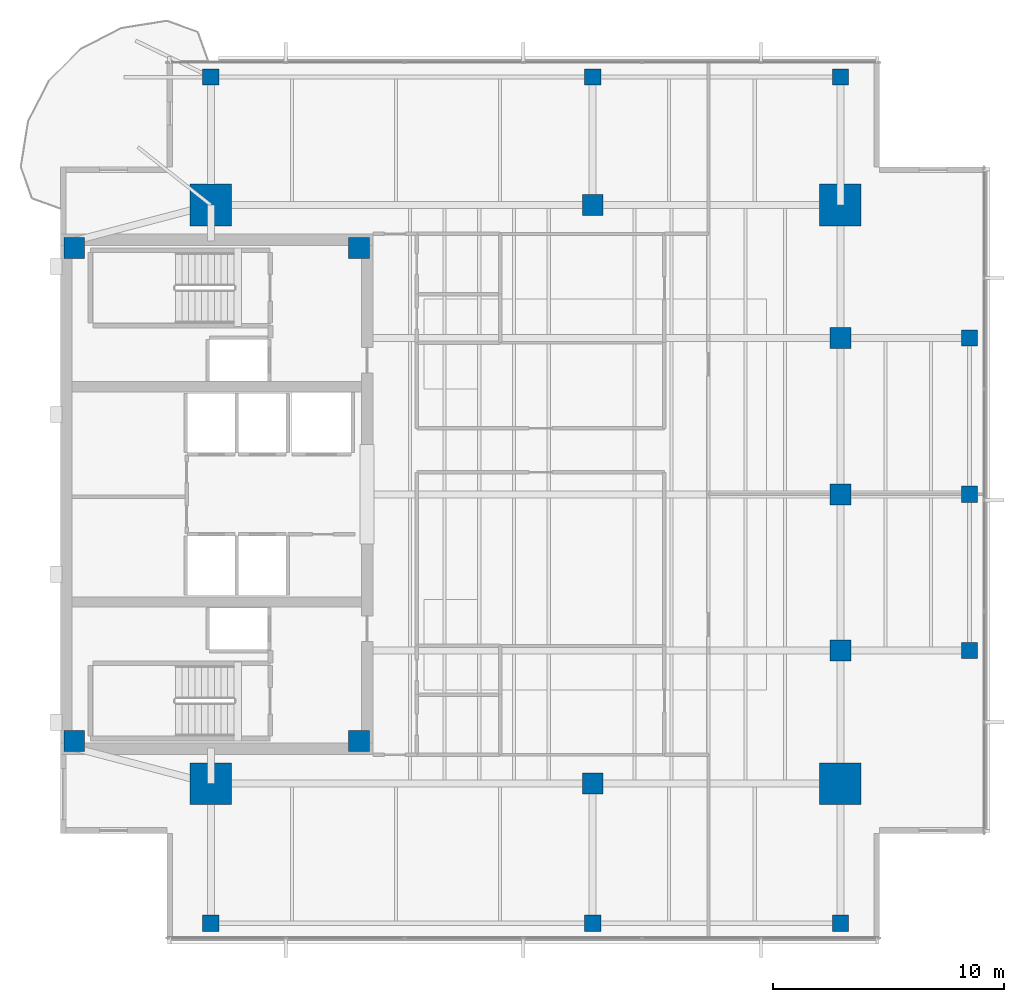
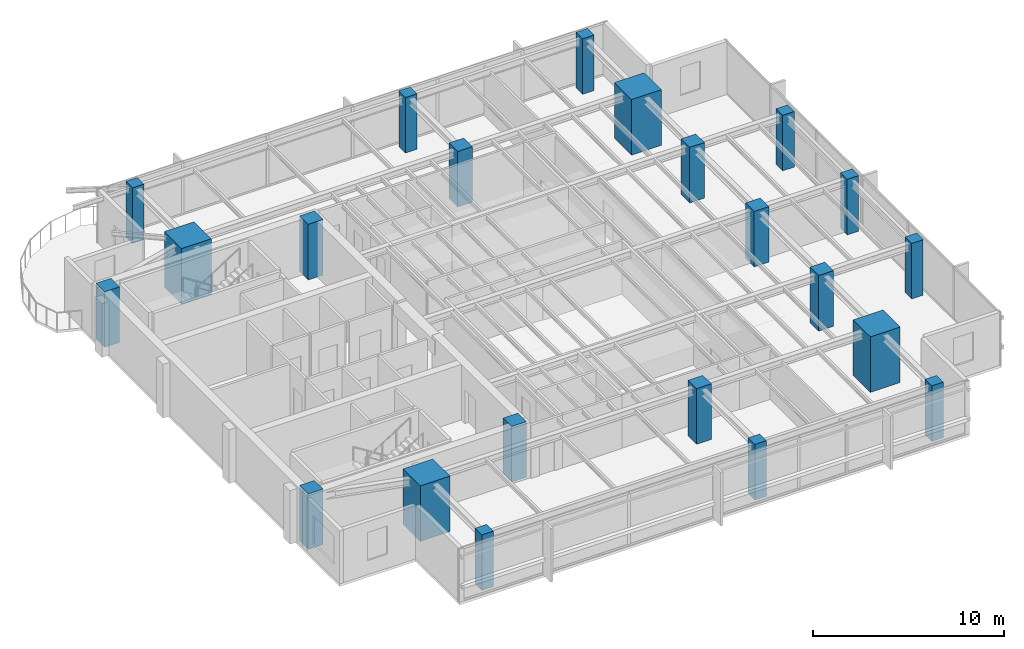
# One storey, part 1 of 14: 22 columns.
"""IFC4 building model written with IfcOpenShell, lengths in metres."""

import ifcopenshell
import ifcopenshell.guid

model = None  # the IFC model being written
_history = None  # IfcOwnerHistory: only IFC2X3 demands one
_inside = {}  # id of a spatial element -> (the spatial element, [elements in it])
_under = {}  # id of a project, library or spatial element -> (it, [spatial elements below it])
_declared = {}  # id of a project -> (the project, [libraries it declares])
_typed = {}  # id of a type object -> (the type object, [elements of that type])
_made_of = {}  # id of a material, layer set ... -> (it, [elements and type objects made of it])


def new_model(schema):
    """Start an empty IFC model of exactly this schema.

    Asked for "IFC4X3", IfcOpenShell would pick the latest addendum, in which some entities
    have other attributes; the version numbers below select the first issue.
    IFC2X3 requires an IfcOwnerHistory on every rooted entity: one is made here for all.
    """
    global model, _history
    if schema == "IFC4X3":
        model = ifcopenshell.file(schema_version=(4, 3, 0, 0))
    else:
        model = ifcopenshell.file(schema=schema)
    _inside.clear()
    _under.clear()
    _declared.clear()
    _typed.clear()
    _made_of.clear()
    _history = None
    if model.schema == "IFC2X3":
        org = make("IfcOrganization", Name="unknown")
        user = make(
            "IfcPersonAndOrganization",
            ThePerson=make("IfcPerson", FamilyName="unknown"),
            TheOrganization=org,
        )
        app = make(
            "IfcApplication",
            ApplicationDeveloper=org,
            Version="unknown",
            ApplicationFullName="unknown",
            ApplicationIdentifier="unknown",
        )
        _history = make(
            "IfcOwnerHistory",
            OwningUser=user,
            OwningApplication=app,
            ChangeAction="ADDED",
            CreationDate=0,
        )
    return model


def make(cls, **values):
    """One entity of the class cls with the attributes given. An attribute that is None is left unset."""
    return model.create_entity(
        cls, **{name: value for name, value in values.items() if value is not None}
    )


def rooted(cls, **values):
    """An entity with a GlobalId (a new one), such as an element, a storey or a relation."""
    return make(cls, GlobalId=ifcopenshell.guid.new(), OwnerHistory=_history, **values)


def si_unit(unit_type, name, prefix=None):
    """IfcSIUnit, for example si_unit("LENGTHUNIT", "METRE", prefix="MILLI")."""
    return make("IfcSIUnit", UnitType=unit_type, Prefix=prefix, Name=name)


def assignment(units):
    """IfcUnitAssignment: the units of a project."""
    return None if units is None else make("IfcUnitAssignment", Units=units)


def point(xyz):
    """IfcCartesianPoint."""
    return None if xyz is None else make("IfcCartesianPoint", Coordinates=xyz)


def direction(xyz):
    """IfcDirection."""
    return None if xyz is None else make("IfcDirection", DirectionRatios=xyz)


def frame(location, z_axis=None, x_axis=None):
    """IfcAxis2Placement3D, a coordinate frame: its origin and axes. An axis left out is left unset."""
    return make(
        "IfcAxis2Placement3D",
        Location=point(location),
        Axis=direction(z_axis),
        RefDirection=direction(x_axis),
    )


def frame_2d(location, x_axis=None):
    """IfcAxis2Placement2D, a coordinate frame in the plane: its origin and x axis."""
    return make(
        "IfcAxis2Placement2D", Location=point(location), RefDirection=direction(x_axis)
    )


def origin():
    """The frame at (0, 0, 0) with its axes left unset."""
    return frame((0.0, 0.0, 0.0))


def origin_2d():
    """The frame at (0, 0) in the plane with its x axis left unset."""
    return frame_2d((0.0, 0.0))


def place(relative_to, where):
    """IfcLocalPlacement: puts the frame where relative to a parent placement (None: the world)."""
    return make(
        "IfcLocalPlacement", PlacementRelTo=relative_to, RelativePlacement=where
    )


def context(
    kind, dimensions, precision=None, world=None, true_north=None, identifier=None
):
    """IfcGeometricRepresentationContext, for example the 3D "Model" context."""
    return make(
        "IfcGeometricRepresentationContext",
        ContextIdentifier=identifier,
        ContextType=kind,
        CoordinateSpaceDimension=dimensions,
        Precision=precision,
        WorldCoordinateSystem=world,
        TrueNorth=true_north,
    )


def subcontext(parent, identifier, kind, view, scale=None):
    """IfcGeometricRepresentationSubContext, for example "Body" below "Model"."""
    return make(
        "IfcGeometricRepresentationSubContext",
        ContextIdentifier=identifier,
        ContextType=kind,
        ParentContext=parent,
        TargetScale=scale,
        TargetView=view,
    )


def project(units=None, contexts=None):
    """IfcProject with its units and contexts."""
    return rooted(
        "IfcProject",
        Name="project",
        RepresentationContexts=contexts,
        UnitsInContext=assignment(units),
    )


def spatial(cls, under=None, at=None, **own):
    """A site, building, storey or space (cls), placed at a placement, below another one or the project."""
    s = rooted(cls, ObjectPlacement=at, **own)
    if under is not None:
        _under.setdefault(under.id(), (under, []))[1].append(s)
    return s


def profile(cls, at=None, kind="AREA", **sizes):
    """A parametric profile (cls). Its sizes go by their IFC names, for example OverallWidth=200.0."""
    return make(cls, ProfileType=kind, Position=at, **sizes)


def rectangle(**sizes):
    """IfcRectangleProfileDef."""
    return profile("IfcRectangleProfileDef", **sizes)


def extrude(swept, where, along, depth):
    """IfcExtrudedAreaSolid: the profile swept, set in the frame where, extruded along a direction by depth."""
    return make(
        "IfcExtrudedAreaSolid",
        SweptArea=swept,
        Position=where,
        ExtrudedDirection=direction(along),
        Depth=depth,
    )


def shape(context_of_items, identifier, shape_type, items):
    """IfcShapeRepresentation: the items that make up one representation, for example the "Body"."""
    return make(
        "IfcShapeRepresentation",
        ContextOfItems=context_of_items,
        RepresentationIdentifier=identifier,
        RepresentationType=shape_type,
        Items=items,
    )


def material(Name=None, Category=None):
    """IfcMaterial."""
    return make("IfcMaterial", Name=Name, Category=Category)


def material_profile(
    of_material, cross_section, Name=None, Category=None, Priority=None
):
    """IfcMaterialProfile: a cross section and its material."""
    return make(
        "IfcMaterialProfile",
        Name=Name,
        Material=of_material,
        Profile=cross_section,
        Priority=Priority,
        Category=Category,
    )


def profile_set(profiles, Name=None, composite=None):
    """IfcMaterialProfileSet."""
    return make(
        "IfcMaterialProfileSet",
        Name=Name,
        MaterialProfiles=profiles,
        CompositeProfile=composite,
    )


def made_of(thing, what):
    """Note that an element or type object is made of a material, layer set ...; save() writes the relation."""
    if what is not None:
        _made_of.setdefault(what.id(), (what, []))[1].append(thing)
    return thing


def type_object(cls, material=None, **own):
    """A type object (cls), such as IfcWallType, which elements share."""
    return made_of(rooted(cls, **own), material)


def element(
    cls,
    number,
    at=None,
    inside=None,
    cuts=None,
    type_object=None,
    material=None,
    context=None,
    identifier="Body",
    shape_type=None,
    held_by="IfcProductDefinitionShape",
    body=None,
    shapes=None,
    **own,
):
    """One element of the class cls, such as IfcWall. Its Tag is "e" and its number.

    at: its placement. inside: the storey or other place that contains it. cuts: it is an
    opening in that element (IfcRelVoidsElement). A single representation is given by context,
    identifier, shape_type and body (its items); several are given by shapes. held_by: the class
    of the entity that holds the representations. save() writes the other relations.
    """
    e = rooted(cls, Tag="e%d" % number, ObjectPlacement=at, **own)
    if body is not None:
        shapes = [shape(context, identifier, shape_type, body)]
    if shapes is not None:
        e.Representation = make(held_by, Representations=shapes)
    if inside is not None:
        _inside.setdefault(inside.id(), (inside, []))[1].append(e)
    if cuts is not None:
        rooted(
            "IfcRelVoidsElement", RelatingBuildingElement=cuts, RelatedOpeningElement=e
        )
    if type_object is not None:
        _typed.setdefault(type_object.id(), (type_object, []))[1].append(e)
    return made_of(e, material)


def aggregate(whole, parts):
    """IfcRelAggregates: a whole, such as a stair, and the parts it consists of."""
    return rooted("IfcRelAggregates", RelatingObject=whole, RelatedObjects=parts)


def save(model, path):
    """Write the relations noted so far, then the file.

    IfcRelAggregates (storeys below a building ...), IfcRelContainedInSpatialStructure (elements
    in a storey), IfcRelDefinesByType, IfcRelAssociatesMaterial and IfcRelDeclares: one each for
    every whole, place, type object, material and project.
    """
    for whole, parts in _under.values():
        aggregate(whole, parts)
    for where, things in _inside.values():
        rooted(
            "IfcRelContainedInSpatialStructure",
            RelatedElements=things,
            RelatingStructure=where,
        )
    for kind, things in _typed.values():
        rooted("IfcRelDefinesByType", RelatedObjects=things, RelatingType=kind)
    for what, things in _made_of.values():
        rooted("IfcRelAssociatesMaterial", RelatedObjects=things, RelatingMaterial=what)
    for by, libraries in _declared.values():
        rooted("IfcRelDeclares", RelatingContext=by, RelatedDefinitions=libraries)
    model.write(path)


model = new_model("IFC4")

# Units and contexts
model_context = context("Model", 3, precision=1e-05, world=origin(), true_north=direction((0.0, 1.0)))
body_context = subcontext(model_context, "Body", "Model", "MODEL_VIEW")
ifc_project = project(units=[si_unit("LENGTHUNIT", "METRE"), si_unit("AREAUNIT", "SQUARE_METRE"), si_unit("VOLUMEUNIT", "CUBIC_METRE"), si_unit("PLANEANGLEUNIT", "RADIAN"), si_unit("MASSUNIT", "GRAM", prefix="KILO")], contexts=[model_context])

# Site, building, storey
site_placement = place(None, origin())
site = spatial("IfcSite", under=ifc_project, at=site_placement, CompositionType="ELEMENT")
building_placement = place(site_placement, origin())
building = spatial("IfcBuilding", under=site, at=building_placement, Name="Kinhvarn Gate Tower", CompositionType="ELEMENT")
storey_placement = place(building_placement, frame((0.0, 0.0, 259.89990234375)))
storey = spatial("IfcBuildingStorey", under=building, at=storey_placement, Name="L69", CompositionType="ELEMENT", Elevation=259.89990234375)

# Columns
ifc_material_1 = material(Name="Concrete C60/75", Category="concrete")
ifc_material_profile_1 = material_profile(ifc_material_1, rectangle(XDim=1.800048828125, YDim=1.800048828125, at=origin_2d()), Name="RC 1800x1800")
ifc_profile_set_1 = profile_set([ifc_material_profile_1], Name="Concrete C60/75")
column_type_1 = type_object("IfcColumnType", Name="COL-MC-1800", PredefinedType="COLUMN", material=ifc_profile_set_1)
for number, where, z_axis, x_axis, name in (
    (1, (11.0, 12.75, 0.0), (0.0, 0.0, 1.0), (1.0, 0.0, 0.0), "Column MC1-L69 (MC-18)"),
    (2, (11.0, 37.75, 0.0), (0.0, 0.0, 1.0), (1.0, 0.0, 0.0), "Column MC4-L69 (MC-18)"),
    (3, (38.199951171875, 12.75, 0.0), (0.0, 0.0, 1.0), (1.0, 0.0, 0.0), "Column MC2-L69 (MC-18)"),
    (4, (38.199951171875, 37.75, 0.0), (0.0, 0.0, 1.0), (1.0, 0.0, 0.0), "Column MC3-L69 (MC-18)"),
):
    element("IfcColumn", number, at=place(storey_placement, frame(where, z_axis=z_axis, x_axis=x_axis)), inside=storey, type_object=column_type_1, Name=name, PredefinedType="COLUMN", context=body_context, shape_type="SweptSolid", body=[
        extrude(rectangle(XDim=1.800048828125, YDim=1.800048828125, at=origin_2d()), origin(), (0.0, 0.0, 1.0), 3.550048828125),
    ])
ifc_material_2 = material(Name="Concrete C50/60", Category="concrete")
ifc_material_profile_2 = material_profile(ifc_material_2, rectangle(XDim=0.699951171875, YDim=0.699951171875, at=origin_2d()), Name="RC 700x700")
ifc_profile_set_2 = profile_set([ifc_material_profile_2], Name="Concrete C50/60")
column_type_2 = type_object("IfcColumnType", Name="COL-RC-700", PredefinedType="COLUMN", material=ifc_profile_set_2)
for number, where, z_axis, x_axis, name in (
    (5, (43.780029296875, 18.5, 0.0), (0.0, 0.0, 1.0), (1.0, 0.0, 0.0), "Column CE-1-L69 (C-070)"),
    (6, (43.780029296875, 25.25, 0.0), (0.0, 0.0, 1.0), (1.0, 0.0, 0.0), "Column CE-2-L69 (C-070)"),
    (7, (43.780029296875, 32.0, 0.0), (0.0, 0.0, 1.0), (1.0, 0.0, 0.0), "Column CE-3-L69 (C-070)"),
    (8, (11.0, 6.719970703125, 0.0), (0.0, 0.0, 1.0), (1.0, 0.0, 0.0), "Column CS-0-L69 (C-070)"),
    (9, (27.5, 6.719970703125, 0.0), (0.0, 0.0, 1.0), (1.0, 0.0, 0.0), "Column CS-1-L69 (C-070)"),
    (10, (38.199951171875, 6.719970703125, 0.0), (0.0, 0.0, 1.0), (1.0, 0.0, 0.0), "Column CS-2-L69 (C-070)"),
    (11, (11.0, 43.280029296875, 0.0), (0.0, 0.0, 1.0), (1.0, 0.0, 0.0), "Column CN-0-L69 (C-070)"),
    (12, (27.5, 43.280029296875, 0.0), (0.0, 0.0, 1.0), (1.0, 0.0, 0.0), "Column CN-1-L69 (C-070)"),
    (13, (38.199951171875, 43.280029296875, 0.0), (0.0, 0.0, 1.0), (1.0, 0.0, 0.0), "Column CN-2-L69 (C-070)"),
):
    element("IfcColumn", number, at=place(storey_placement, frame(where, z_axis=z_axis, x_axis=x_axis)), inside=storey, type_object=column_type_2, Name=name, PredefinedType="COLUMN", context=body_context, shape_type="SweptSolid", body=[
        extrude(rectangle(XDim=0.699951171875, YDim=0.699951171875, at=origin_2d()), origin(), (0.0, 0.0, 1.0), 3.550048828125),
    ])
ifc_material_profile_3 = material_profile(ifc_material_1, rectangle(XDim=0.89990234375, YDim=0.89990234375, at=origin_2d()), Name="RC 900x900")
ifc_profile_set_3 = profile_set([ifc_material_profile_3], Name="Concrete C60/75")
column_type_3 = type_object("IfcColumnType", Name="COL-RC-900", PredefinedType="COLUMN", material=ifc_profile_set_3)
for number, where, z_axis, x_axis, name in (
    (14, (27.5, 12.75, 0.0), (0.0, 0.0, 1.0), (1.0, 0.0, 0.0), "Column SP27-S-L69 (C-090)"),
    (15, (27.5, 37.75, 0.0), (0.0, 0.0, 1.0), (1.0, 0.0, 0.0), "Column SP27-N-L69 (C-090)"),
    (16, (38.199951171875, 18.5, 0.0), (0.0, 0.0, 1.0), (1.0, 0.0, 0.0), "Column SP38-E1-L69 (C-090)"),
    (17, (38.199951171875, 25.25, 0.0), (0.0, 0.0, 1.0), (1.0, 0.0, 0.0), "Column SP38-E2-L69 (C-090)"),
    (18, (38.199951171875, 32.0, 0.0), (0.0, 0.0, 1.0), (1.0, 0.0, 0.0), "Column SP38-E3-L69 (C-090)"),
):
    element("IfcColumn", number, at=place(storey_placement, frame(where, z_axis=z_axis, x_axis=x_axis)), inside=storey, type_object=column_type_3, Name=name, PredefinedType="COLUMN", context=body_context, shape_type="SweptSolid", body=[
        extrude(rectangle(XDim=0.89990234375, YDim=0.89990234375, at=origin_2d()), origin(), (0.0, 0.0, 1.0), 3.550048828125),
    ])
ifc_material_profile_4 = material_profile(ifc_material_2, rectangle(XDim=0.89990234375, YDim=0.89990234375, at=origin_2d()), Name="RC 900x900")
ifc_profile_set_4 = profile_set([ifc_material_profile_4], Name="Concrete C50/60")
column_type_4 = type_object("IfcColumnType", Name="PIL-RC-900", PredefinedType="PILASTER", material=ifc_profile_set_4)
for number, where, z_axis, x_axis, name in (
    (19, (5.10009765625, 14.60009765625, 0.0), (0.0, 0.0, 1.0), (1.0, 0.0, 0.0), "Column CC-SW-L69 (CP-090)"),
    (20, (5.10009765625, 35.89990234375, 0.0), (0.0, 0.0, 1.0), (1.0, 0.0, 0.0), "Column CC-NW-L69 (CP-090)"),
    (21, (17.39990234375, 14.60009765625, 0.0), (0.0, 0.0, 1.0), (1.0, 0.0, 0.0), "Column CC-SE-L69 (CP-090)"),
    (22, (17.39990234375, 35.89990234375, 0.0), (0.0, 0.0, 1.0), (1.0, 0.0, 0.0), "Column CC-NE-L69 (CP-090)"),
):
    element("IfcColumn", number, at=place(storey_placement, frame(where, z_axis=z_axis, x_axis=x_axis)), inside=storey, type_object=column_type_4, Name=name, PredefinedType="PILASTER", context=body_context, shape_type="SweptSolid", body=[
        extrude(rectangle(XDim=0.89990234375, YDim=0.89990234375, at=origin_2d()), origin(), (0.0, 0.0, 1.0), 3.550048828125),
    ])

save(model, "model.ifc")
